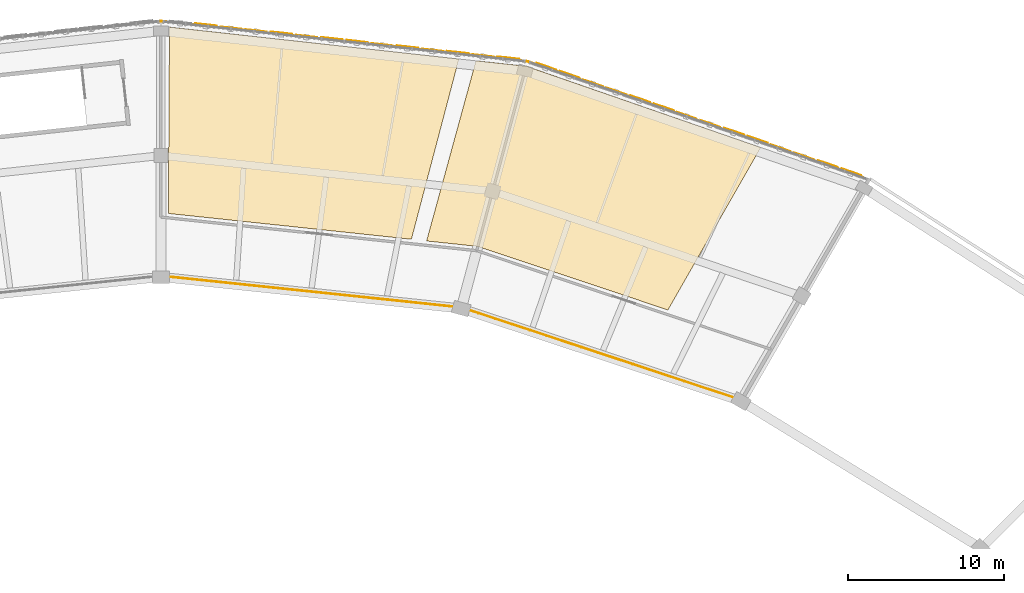
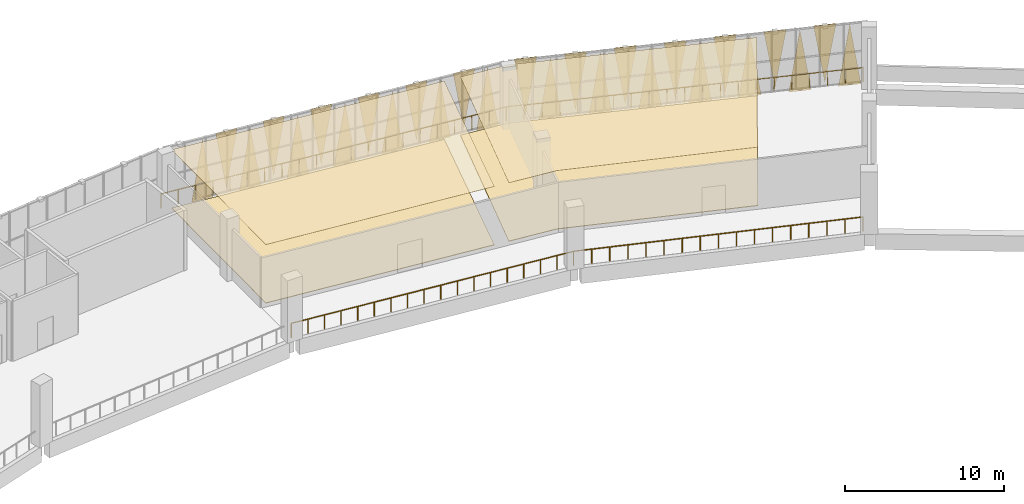
# One storey, part 63 of 64: 31 coverings, 4 railings.
"""IFC4 building model written with IfcOpenShell, lengths in metres."""

from ifc_helpers import new_model, si_unit, direction, frame, origin, origin_2d, place, context, subcontext, project, spatial, polyline, circle, outline, extrude, material, layer, layer_set, type_object, element, save


model = new_model("IFC4")

# Units and contexts
model_context = context("Model", 3, precision=1e-05, world=origin(), true_north=direction((0.0, 1.0)))
body_context = subcontext(model_context, "Body", "Model", "MODEL_VIEW")
ifc_project = project(units=[si_unit("LENGTHUNIT", "METRE"), si_unit("AREAUNIT", "SQUARE_METRE"), si_unit("VOLUMEUNIT", "CUBIC_METRE"), si_unit("PLANEANGLEUNIT", "RADIAN"), si_unit("MASSUNIT", "GRAM", prefix="KILO")], contexts=[model_context])

# Site, building, storey
site_placement = place(None, origin())
site = spatial("IfcSite", under=ifc_project, at=site_placement, CompositionType="ELEMENT")
building_placement = place(site_placement, origin())
building = spatial("IfcBuilding", under=site, at=building_placement, Name="Zevraka Park Crest Stadium", CompositionType="ELEMENT")
storey_placement = place(building_placement, frame((0.0, 0.0, 24.60009765625)))
storey = spatial("IfcBuildingStorey", under=building, at=storey_placement, Name="L05", CompositionType="ELEMENT", Elevation=24.60009765625)

# Coverings
ifc_material_1 = material(Name="Architectural golden-bronze perforated aluminium", Category="aluminium")
ifc_layer_1 = layer(ifc_material_1, 0.034912109375)
ifc_layer_set_1 = layer_set([ifc_layer_1], Name="Architectural golden-bronze perforated aluminium")
covering_type_1 = type_object("IfcCoveringType", Name="CLD01", PredefinedType="CLADDING", material=ifc_layer_set_1)
covering_1_placement = place(storey_placement, frame((156.9990234375, 157.990966796875, -0.22021484375), z_axis=(-0.326876778468, -0.945066958674, 0.00012377763), x_axis=(-0.945066965914, 0.326876780972, 0.0)))
element("IfcCovering", 1, at=covering_1_placement, inside=storey, type_object=covering_type_1, Name="Triangular Golden-Bronze Perforated Cladding L05-04-1", PredefinedType="CLADDING", context=body_context, shape_type="SweptSolid", body=[
    extrude(outline(polyline([(0.0, 0.0), (1.4347734924150557, 6.776263578034403e-21), (0.7175862559615392, -4.660156285698899), (0.0, 0.0)])), origin(), (0.0, 0.0, -1.0), 0.034912109375),
])
covering_2_placement = place(storey_placement, frame((154.136962890625, 158.98095703125, 4.599853515625), z_axis=(-0.326478757081, -0.945204539279, 1.0053247e-05), x_axis=(0.945204539327, -0.326478757097, 0.0)))
element("IfcCovering", 2, at=covering_2_placement, inside=storey, type_object=covering_type_1, Name="Triangular Golden-Bronze Perforated Cladding L05-04-2", PredefinedType="CLADDING", context=body_context, shape_type="SweptSolid", body=[
    extrude(outline(polyline([(0.0, 0.0), (1.4335314869677471, 0.0), (0.716264364466002, -4.379882812721332), (0.0, 0.0)])), origin(), (0.0, 0.0, -1.0), 0.034912109375),
])
covering_3_placement = place(storey_placement, frame((153.985107421875, 159.033935546875, -0.22021484375), z_axis=(0.3270345498, 0.945012382061, 3.1429809e-05), x_axis=(-0.945012382528, 0.327034549962, 0.0)))
element("IfcCovering", 3, at=covering_3_placement, inside=storey, type_object=covering_type_1, Name="Triangular Golden-Bronze Perforated Cladding L05-04-3", PredefinedType="CLADDING", context=body_context, shape_type="SweptSolid", body=[
    extrude(outline(polyline([(0.0, 0.0), (1.4340813246800908, -1.6940658945086007e-21), (0.7163441089266511, 4.660156252301728), (0.0, 0.0)])), origin(), (0.0, 0.0, -1.0), 0.034912109375),
])
covering_4_placement = place(storey_placement, frame((151.123046875, 160.02392578125, 4.599853515625), z_axis=(0.327087166822, 0.944994157138, 0.000168152716), x_axis=(0.944994170498, -0.327087171446, 0.0)))
element("IfcCovering", 4, at=covering_4_placement, inside=storey, type_object=covering_type_1, Name="Triangular Golden-Bronze Perforated Cladding L05-04-4", PredefinedType="CLADDING", context=body_context, shape_type="SweptSolid", body=[
    extrude(outline(polyline([(0.0, 0.0), (1.433850610989357, 0.0), (0.7171870902633259, 4.37988287442133), (0.0, 0.0)])), origin(), (0.0, 0.0, -1.0), 0.034912109375),
])
covering_5_placement = place(storey_placement, frame((150.971923828125, 160.075927734375, -0.22021484375), z_axis=(-0.326876778468, -0.945066958674, 0.00012377763), x_axis=(-0.945066965914, 0.326876780972, 0.0)))
element("IfcCovering", 5, at=covering_5_placement, inside=storey, type_object=covering_type_1, Name="Triangular Golden-Bronze Perforated Cladding L05-04-5", PredefinedType="CLADDING", context=body_context, shape_type="SweptSolid", body=[
    extrude(outline(polyline([(0.0, 0.0), (1.4347734924150557, 6.776263578034403e-21), (0.7175862559615392, -4.660156285698899), (0.0, 0.0)])), origin(), (0.0, 0.0, -1.0), 0.034912109375),
])
covering_6_placement = place(storey_placement, frame((148.10888671875, 161.06689453125, 4.599853515625), z_axis=(-0.32682422231, -0.945085140516, 6.9911683e-05), x_axis=(0.945085142826, -0.326824223109, 0.0)))
element("IfcCovering", 6, at=covering_6_placement, inside=storey, type_object=covering_type_1, Name="Triangular Golden-Bronze Perforated Cladding L05-04-6", PredefinedType="CLADDING", context=body_context, shape_type="SweptSolid", body=[
    extrude(outline(polyline([(0.0, 0.0), (1.4350042238738205, 0.0), (0.7177371653807764, -4.379882823203652), (0.0, 0.0)])), origin(), (0.0, 0.0, -1.0), 0.034912109375),
])
covering_7_placement = place(storey_placement, frame((147.9580078125, 161.118896484375, -0.22021484375), z_axis=(0.326876780071, 0.945066963307, 7.4266578e-05), x_axis=(-0.945066965914, 0.326876780972, 0.0)))
element("IfcCovering", 7, at=covering_7_placement, inside=storey, type_object=covering_type_1, Name="Triangular Golden-Bronze Perforated Cladding L05-04-7", PredefinedType="CLADDING", context=body_context, shape_type="SweptSolid", body=[
    extrude(outline(polyline([(0.0, 0.0), (1.4347734924150557, 6.776263578034403e-21), (0.717267040355121, 4.660156262851604), (0.0, 0.0)])), origin(), (0.0, 0.0, -1.0), 0.034912109375),
])
covering_8_placement = place(storey_placement, frame((145.094970703125, 162.10888671875, 4.599853515625), z_axis=(0.326876778138, 0.945066957718, 0.000131698294), x_axis=(0.945066965914, -0.326876780972, 0.0)))
element("IfcCovering", 8, at=covering_8_placement, inside=storey, type_object=covering_type_1, Name="Triangular Golden-Bronze Perforated Cladding L05-04-8", PredefinedType="CLADDING", context=body_context, shape_type="SweptSolid", body=[
    extrude(outline(polyline([(0.0, 0.0), (1.4347734924150557, 6.776263578034403e-21), (0.7171872364535165, 4.379882850483309), (0.0, 0.0)])), origin(), (0.0, 0.0, -1.0), 0.034912109375),
])
covering_9_placement = place(storey_placement, frame((144.944091796875, 162.160888671875, -0.22021484375), z_axis=(-0.326824220246, -0.945085134549, 0.000132340997), x_axis=(-0.945085142826, 0.326824223109, 0.0)))
element("IfcCovering", 9, at=covering_9_placement, inside=storey, type_object=covering_type_1, Name="Triangular Golden-Bronze Perforated Cladding L05-04-9", PredefinedType="CLADDING", context=body_context, shape_type="SweptSolid", body=[
    extrude(outline(polyline([(0.0, 0.0), (1.4350042238738205, -6.776263578034403e-21), (0.7175862227734235, -4.660156290809314), (0.0, 0.0)])), origin(), (0.0, 0.0, -1.0), 0.034912109375),
])
covering_10_placement = place(storey_placement, frame((142.0810546875, 163.152099609375, 4.599853515625), z_axis=(-0.326876778138, -0.945066957718, 0.000131698294), x_axis=(0.945066965914, -0.326876780972, 0.0)))
element("IfcCovering", 10, at=covering_10_placement, inside=storey, type_object=covering_type_1, Name="Triangular Golden-Bronze Perforated Cladding L05-04-10", PredefinedType="CLADDING", context=body_context, shape_type="SweptSolid", body=[
    extrude(outline(polyline([(0.0, 0.0), (1.4347734924150557, 6.776263578034403e-21), (0.7175862559615392, -4.379882850483309), (0.0, 0.0)])), origin(), (0.0, 0.0, -1.0), 0.034912109375),
])
covering_11_placement = place(storey_placement, frame((141.929931640625, 163.2041015625, -0.22021484375), z_axis=(0.327087167362, 0.944994158697, 0.000158039592), x_axis=(-0.944994170498, 0.327087171446, 0.0)))
element("IfcCovering", 11, at=covering_11_placement, inside=storey, type_object=covering_type_1, Name="Triangular Golden-Bronze Perforated Cladding L05-04-11", PredefinedType="CLADDING", context=body_context, shape_type="SweptSolid", body=[
    extrude(outline(polyline([(0.0, 0.0), (1.433850610989357, 0.0), (0.7171870902633259, 4.660156308197227), (0.0, 0.0)])), origin(), (0.0, 0.0, -1.0), 0.034912109375),
])
covering_12_placement = place(storey_placement, frame((139.068115234375, 164.194091796875, 4.599853515625), z_axis=(0.32708717115, 0.944994169643, 4.2548323e-05), x_axis=(0.944994170498, -0.327087171446, 0.0)))
element("IfcCovering", 12, at=covering_12_placement, inside=storey, type_object=covering_type_1, Name="Triangular Golden-Bronze Perforated Cladding L05-04-12", PredefinedType="CLADDING", context=body_context, shape_type="SweptSolid", body=[
    extrude(outline(polyline([(0.0, 0.0), (1.433850610989357, 3.3881317890172014e-21), (0.7163440996601654, 4.379882816464582), (0.0, 0.0)])), origin(), (0.0, 0.0, -1.0), 0.034912109375),
])
covering_13_placement = place(storey_placement, frame((138.916015625, 164.2470703125, -0.22021484375), z_axis=(-0.326478757083, -0.945204539285, 9.448619e-06), x_axis=(-0.945204539327, 0.326478757097, 0.0)))
element("IfcCovering", 13, at=covering_13_placement, inside=storey, type_object=covering_type_1, Name="Triangular Golden-Bronze Perforated Cladding L05-04-13", PredefinedType="CLADDING", context=body_context, shape_type="SweptSolid", body=[
    extrude(outline(polyline([(0.0, 0.0), (1.4335314869677471, 0.0), (0.716264364466002, -4.660156250208021), (0.0, 0.0)])), origin(), (0.0, 0.0, -1.0), 0.034912109375),
])
covering_14_placement = place(storey_placement, frame((136.053955078125, 165.237060546875, 4.599853515625), z_axis=(-0.326876778138, -0.945066957718, 0.000131698294), x_axis=(0.945066965914, -0.326876780972, 0.0)))
element("IfcCovering", 14, at=covering_14_placement, inside=storey, type_object=covering_type_1, Name="Triangular Golden-Bronze Perforated Cladding L05-04-14", PredefinedType="CLADDING", context=body_context, shape_type="SweptSolid", body=[
    extrude(outline(polyline([(0.0, 0.0), (1.4347734924150557, 6.776263578034403e-21), (0.7175862559615392, -4.379882850483309), (0.0, 0.0)])), origin(), (0.0, 0.0, -1.0), 0.034912109375),
])
covering_15_placement = place(storey_placement, frame((135.02587890625, 165.468017578125, -0.22021484375), z_axis=(-0.108952601983, -0.994046945726, 1.4622709e-05), x_axis=(-0.994046945832, 0.108952601995, 0.0)))
element("IfcCovering", 15, at=covering_15_placement, inside=storey, type_object=covering_type_1, Name="Triangular Golden-Bronze Perforated Cladding L05-05-1", PredefinedType="CLADDING", context=body_context, shape_type="SweptSolid", body=[
    extrude(outline(polyline([(0.0, 0.0), (1.4677218023927092, 4.235164736271502e-22), (0.7343595755597975, -4.660156250498226), (0.0, 0.0)])), origin(), (0.0, 0.0, -1.0), 0.034912109375),
])
covering_16_placement = place(storey_placement, frame((131.947998046875, 165.805908203125, 4.599853515625), z_axis=(0.108880588211, 0.994054835883, 2.7704984e-05), x_axis=(0.994054836265, -0.108880588253, 0.0)))
element("IfcCovering", 16, at=covering_16_placement, inside=storey, type_object=covering_type_1, Name="Triangular Golden-Bronze Perforated Cladding L05-05-2", PredefinedType="CLADDING", context=body_context, shape_type="SweptSolid", body=[
    extrude(outline(polyline([(0.0, 0.0), (1.4686925552172725, 0.0), (0.7343329865212029, 4.379882814180925), (0.0, 0.0)])), origin(), (0.0, 0.0, -1.0), 0.034912109375),
])
covering_17_placement = place(storey_placement, frame((131.7890625, 165.823974609375, -0.22021484375), z_axis=(-0.108952601918, -0.994046945135, 3.7454352e-05), x_axis=(-0.994046945832, 0.108952601995, 0.0)))
element("IfcCovering", 17, at=covering_17_placement, inside=storey, type_object=covering_type_1, Name="Triangular Golden-Bronze Perforated Cladding L05-05-3", PredefinedType="CLADDING", context=body_context, shape_type="SweptSolid", body=[
    extrude(outline(polyline([(0.0, 0.0), (1.4677218023927092, 0.0), (0.7333888265892581, -4.660156253268701), (0.0, 0.0)])), origin(), (0.0, 0.0, -1.0), 0.034912109375),
])
covering_18_placement = place(storey_placement, frame((128.7109375, 166.162109375, 4.599853515625), z_axis=(0.109044843045, 0.994036831413, 0.0), x_axis=(0.994036831413, -0.109044843045, 0.0)))
element("IfcCovering", 18, at=covering_18_placement, inside=storey, type_object=covering_type_1, Name="Triangular Golden-Bronze Perforated Cladding L05-05-4", PredefinedType="CLADDING", context=body_context, shape_type="SweptSolid", body=[
    extrude(outline(polyline([(0.0, 0.0), (1.4687191574429541, 0.0), (0.7343595787214771, 4.3798828125), (0.0, 0.0)])), origin(), (0.0, 0.0, -1.0), 0.034912109375),
])
covering_19_placement = place(storey_placement, frame((128.552001953125, 166.179931640625, -0.22021484375), z_axis=(-0.109116962802, -0.994028917234, 1.1433043e-05), x_axis=(-0.994028917299, 0.109116962809, 0.0)))
element("IfcCovering", 19, at=covering_19_placement, inside=storey, type_object=covering_type_1, Name="Triangular Golden-Bronze Perforated Cladding L05-05-5", PredefinedType="CLADDING", context=body_context, shape_type="SweptSolid", body=[
    extrude(outline(polyline([(0.0, 0.0), (1.4677484222128137, 2.117582368135751e-22), (0.7333888454241317, -4.660156250304575), (0.0, 0.0)])), origin(), (0.0, 0.0, -1.0), 0.034912109375),
])
covering_20_placement = place(storey_placement, frame((125.47412109375, 166.51806640625, 4.599853515625), z_axis=(0.109044843045, 0.994036831413, 0.0), x_axis=(0.994036831413, -0.109044843045, 0.0)))
element("IfcCovering", 20, at=covering_20_placement, inside=storey, type_object=covering_type_1, Name="Triangular Golden-Bronze Perforated Cladding L05-05-6", PredefinedType="CLADDING", context=body_context, shape_type="SweptSolid", body=[
    extrude(outline(polyline([(0.0, 0.0), (1.4687191574429541, 0.0), (0.7343595787214771, 4.3798828125), (0.0, 0.0)])), origin(), (0.0, 0.0, -1.0), 0.034912109375),
])
covering_21_placement = place(storey_placement, frame((125.31494140625, 166.535888671875, -0.22021484375), z_axis=(-0.109116962802, -0.994028917234, 1.1433043e-05), x_axis=(-0.994028917299, 0.109116962809, 0.0)))
element("IfcCovering", 21, at=covering_21_placement, inside=storey, type_object=covering_type_1, Name="Triangular Golden-Bronze Perforated Cladding L05-05-7", PredefinedType="CLADDING", context=body_context, shape_type="SweptSolid", body=[
    extrude(outline(polyline([(0.0, 0.0), (1.4677484222128137, 2.117582368135751e-22), (0.7333888454241317, -4.660156250304575), (0.0, 0.0)])), origin(), (0.0, 0.0, -1.0), 0.034912109375),
])
covering_22_placement = place(storey_placement, frame((122.238037109375, 166.8740234375, 4.599853515625), z_axis=(-0.108952601908, -0.994046945043, 3.9851097e-05), x_axis=(0.994046945832, -0.108952601995, 0.0)))
element("IfcCovering", 22, at=covering_22_placement, inside=storey, type_object=covering_type_1, Name="Triangular Golden-Bronze Perforated Cladding L05-05-8", PredefinedType="CLADDING", context=body_context, shape_type="SweptSolid", body=[
    extrude(outline(polyline([(0.0, 0.0), (1.4677218023927092, -8.470329472543003e-22), (0.7333888265892581, -4.379882815977869), (0.0, 0.0)])), origin(), (0.0, 0.0, -1.0), 0.034912109375),
])
covering_23_placement = place(storey_placement, frame((122.0791015625, 166.89208984375, -0.22021484375), z_axis=(0.108862599571, 0.994056806162, 2.3187191e-05), x_axis=(-0.994056806429, 0.108862599601, 0.0)))
element("IfcCovering", 23, at=covering_23_placement, inside=storey, type_object=covering_type_1, Name="Triangular Golden-Bronze Perforated Cladding L05-05-9", PredefinedType="CLADDING", context=body_context, shape_type="SweptSolid", body=[
    extrude(outline(polyline([(0.0, 0.0), (1.4689352446268007, 0.0), (0.7343329885968441, 4.660156251252758), (0.0, 0.0)])), origin(), (0.0, 0.0, -1.0), 0.034912109375),
])
covering_24_placement = place(storey_placement, frame((119.0009765625, 167.22998046875, 4.599853515625), z_axis=(-0.108952601908, -0.994046945043, 3.9851097e-05), x_axis=(0.994046945832, -0.108952601995, 0.0)))
element("IfcCovering", 24, at=covering_24_placement, inside=storey, type_object=covering_type_1, Name="Triangular Golden-Bronze Perforated Cladding L05-05-10", PredefinedType="CLADDING", context=body_context, shape_type="SweptSolid", body=[
    extrude(outline(polyline([(0.0, 0.0), (1.4677218023927092, -8.470329472543003e-22), (0.7333888265892581, -4.379882815977869), (0.0, 0.0)])), origin(), (0.0, 0.0, -1.0), 0.034912109375),
])
covering_25_placement = place(storey_placement, frame((118.842041015625, 167.248046875, -0.22021484375), z_axis=(0.108880588216, 0.994054835928, 2.6038737e-05), x_axis=(-0.994054836265, 0.108880588253, 0.0)))
element("IfcCovering", 25, at=covering_25_placement, inside=storey, type_object=covering_type_1, Name="Triangular Golden-Bronze Perforated Cladding L05-05-11", PredefinedType="CLADDING", context=body_context, shape_type="SweptSolid", body=[
    extrude(outline(polyline([(0.0, 0.0), (1.4686925552172725, 0.0), (0.7343329865212029, 4.66015625157983), (0.0, 0.0)])), origin(), (0.0, 0.0, -1.0), 0.034912109375),
])
covering_26_placement = place(storey_placement, frame((115.763916015625, 167.5859375, 4.599853515625), z_axis=(0.108952601981, 0.994046945712, 1.5558432e-05), x_axis=(0.994046945832, -0.108952601995, 0.0)))
element("IfcCovering", 26, at=covering_26_placement, inside=storey, type_object=covering_type_1, Name="Triangular Golden-Bronze Perforated Cladding L05-05-12", PredefinedType="CLADDING", context=body_context, shape_type="SweptSolid", body=[
    extrude(outline(polyline([(0.0, 0.0), (1.4677218023927092, -4.235164736271502e-22), (0.7333622268329117, 4.379882813030108), (0.0, 0.0)])), origin(), (0.0, 0.0, -1.0), 0.034912109375),
])
covering_27_placement = place(storey_placement, frame((115.60498046875, 167.60400390625, -0.22021484375), z_axis=(-0.108880588216, -0.994054835928, 2.6038737e-05), x_axis=(-0.994054836265, 0.108880588253, 0.0)))
element("IfcCovering", 27, at=covering_27_placement, inside=storey, type_object=covering_type_1, Name="Triangular Golden-Bronze Perforated Cladding L05-05-13", PredefinedType="CLADDING", context=body_context, shape_type="SweptSolid", body=[
    extrude(outline(polyline([(0.0, 0.0), (1.4686925552172725, 0.0), (0.7343595686960694, -4.66015625157983), (0.0, 0.0)])), origin(), (0.0, 0.0, -1.0), 0.034912109375),
])
ifc_material_2 = material(Name="Perforated acoustic mineral-fibre suspended ceiling", Category="other")
ifc_layer_2 = layer(ifc_material_2, 0.02490234375)
ifc_layer_set_2 = layer_set([ifc_layer_2], Name="Perforated acoustic mineral-fibre suspended ceiling")
covering_type_2 = type_object("IfcCoveringType", Name="CLG01", PredefinedType="CEILING", material=ifc_layer_set_2)
covering_28_placement = place(storey_placement, frame((0.0, 0.0, 4.47998046875)))
element("IfcCovering", 28, at=covering_28_placement, inside=storey, type_object=covering_type_2, Name="Acoustic Ceiling Match Commentary Box L05-024", PredefinedType="CEILING", context=body_context, shape_type="SweptSolid", body=[
    extrude(outline(polyline([(129.06201171875, 153.81494140625), (132.23095703125, 165.387939453125), (135.472900390625, 165.035888671875), (150.513916015625, 159.81689453125), (144.556884765625, 149.383056640625), (132.363037109375, 153.458984375), (132.343017578125, 153.464111328125), (132.321044921875, 153.468017578125), (129.06201171875, 153.81494140625)])), origin(), (0.0, 0.0, 1.0), 0.02490234375),
])
covering_29_placement = place(storey_placement, frame((0.0, 0.0, 4.47998046875)))
element("IfcCovering", 29, at=covering_29_placement, inside=storey, type_object=covering_type_2, Name="Acoustic Ceiling Venue Operations and Fire Command Centre L05-025", PredefinedType="CEILING", context=body_context, shape_type="SweptSolid", body=[
    extrude(outline(polyline([(112.47802734375, 155.5810546875), (112.551025390625, 167.550048828125), (131.132080078125, 165.4970703125), (128.083984375, 153.926025390625), (112.47802734375, 155.5810546875)])), origin(), (0.0, 0.0, 1.0), 0.02490234375),
])
ifc_material_3 = material(Name="Honed terrazzo and slip-resistant sports flooring", Category="other")
ifc_layer_3 = layer(ifc_material_3, 0.0400390625)
ifc_layer_set_3 = layer_set([ifc_layer_3], Name="Honed terrazzo and slip-resistant sports flooring")
covering_type_3 = type_object("IfcCoveringType", Name="FLR01", PredefinedType="FLOORING", material=ifc_layer_set_3)
covering_30_placement = place(storey_placement, origin())
element("IfcCovering", 30, at=covering_30_placement, inside=storey, type_object=covering_type_3, Name="Terrazzo Floor Finish Match Commentary Box L05-024", PredefinedType="FLOORING", context=body_context, shape_type="SweptSolid", body=[
    extrude(outline(polyline([(129.06201171875, 153.81494140625), (132.23095703125, 165.387939453125), (135.472900390625, 165.035888671875), (150.513916015625, 159.81689453125), (144.556884765625, 149.383056640625), (132.363037109375, 153.458984375), (132.343017578125, 153.464111328125), (132.321044921875, 153.468017578125), (129.06201171875, 153.81494140625)])), origin(), (0.0, 0.0, 1.0), 0.039794921875),
])
covering_31_placement = place(storey_placement, origin())
element("IfcCovering", 31, at=covering_31_placement, inside=storey, type_object=covering_type_3, Name="Terrazzo Floor Finish Venue Operations and Fire Command Centre L05-025", PredefinedType="FLOORING", context=body_context, shape_type="SweptSolid", body=[
    extrude(outline(polyline([(112.47802734375, 155.5810546875), (112.551025390625, 167.550048828125), (131.132080078125, 165.4970703125), (128.083984375, 153.926025390625), (112.47802734375, 155.5810546875)])), origin(), (0.0, 0.0, 1.0), 0.039794921875),
])

# Railings
ifc_material_4 = material(Name="Galvanised and bronze-finished steel balustrade", Category="steel")
railing_type = type_object("IfcRailingType", Name="GR01", PredefinedType="GUARDRAIL", material=ifc_material_4)
railing_1_placement = place(storey_placement, frame((112.0, 167.929931640625, 0.0)))
element("IfcRailing", 32, at=railing_1_placement, inside=storey, type_object=railing_type, Name="Deck Edge Protection Guardrail GR01 L05-19", PredefinedType="GUARDRAIL", context=body_context, shape_type="SweptSolid", body=[
    extrude(circle(Radius=0.02392578125, at=origin_2d()), frame((0.0, 0.0, 1.076171875), z_axis=(0.994005834956, -0.109327032671, 0.0), x_axis=(0.109327032671, 0.994005834956, 0.0)), (0.0, 0.0, 1.0), 23.679931640625),
    extrude(circle(Radius=0.02099609375, at=origin_2d()), origin(), (0.0, 0.0, 1.0), 1.052001953125),
    extrude(circle(Radius=0.02099609375, at=origin_2d()), frame((1.177001953125, -0.12939453125, 0.0)), (0.0, 0.0, 1.0), 1.052001953125),
    extrude(circle(Radius=0.02099609375, at=origin_2d()), frame((2.353759765625, -0.2587890625, 0.0)), (0.0, 0.0, 1.0), 1.052001953125),
    extrude(circle(Radius=0.02099609375, at=origin_2d()), frame((3.53076171875, -0.388427734375, 0.0)), (0.0, 0.0, 1.0), 1.052001953125),
    extrude(circle(Radius=0.02099609375, at=origin_2d()), frame((4.70751953125, -0.517822265625, 0.0)), (0.0, 0.0, 1.0), 1.052001953125),
    extrude(circle(Radius=0.02099609375, at=origin_2d()), frame((5.884521484375, -0.647216796875, 0.0)), (0.0, 0.0, 1.0), 1.052001953125),
    extrude(circle(Radius=0.02099609375, at=origin_2d()), frame((7.0615234375, -0.776611328125, 0.0)), (0.0, 0.0, 1.0), 1.052001953125),
    extrude(circle(Radius=0.02099609375, at=origin_2d()), frame((8.23828125, -0.906005859375, 0.0)), (0.0, 0.0, 1.0), 1.052001953125),
    extrude(circle(Radius=0.02099609375, at=origin_2d()), frame((9.415283203125, -1.03564453125, 0.0)), (0.0, 0.0, 1.0), 1.052001953125),
    extrude(circle(Radius=0.02099609375, at=origin_2d()), frame((10.592041015625, -1.1650390625, 0.0)), (0.0, 0.0, 1.0), 1.052001953125),
    extrude(circle(Radius=0.02099609375, at=origin_2d()), frame((11.76904296875, -1.29443359375, 0.0)), (0.0, 0.0, 1.0), 1.052001953125),
    extrude(circle(Radius=0.02099609375, at=origin_2d()), frame((12.946044921875, -1.423828125, 0.0)), (0.0, 0.0, 1.0), 1.052001953125),
    extrude(circle(Radius=0.02099609375, at=origin_2d()), frame((14.122802734375, -1.55322265625, 0.0)), (0.0, 0.0, 1.0), 1.052001953125),
    extrude(circle(Radius=0.02099609375, at=origin_2d()), frame((15.2998046875, -1.682861328125, 0.0)), (0.0, 0.0, 1.0), 1.052001953125),
    extrude(circle(Radius=0.02099609375, at=origin_2d()), frame((16.4765625, -1.812255859375, 0.0)), (0.0, 0.0, 1.0), 1.052001953125),
    extrude(circle(Radius=0.02099609375, at=origin_2d()), frame((17.653564453125, -1.941650390625, 0.0)), (0.0, 0.0, 1.0), 1.052001953125),
    extrude(circle(Radius=0.02099609375, at=origin_2d()), frame((18.83056640625, -2.071044921875, 0.0)), (0.0, 0.0, 1.0), 1.052001953125),
    extrude(circle(Radius=0.02099609375, at=origin_2d()), frame((20.00732421875, -2.200439453125, 0.0)), (0.0, 0.0, 1.0), 1.052001953125),
    extrude(circle(Radius=0.02099609375, at=origin_2d()), frame((21.184326171875, -2.330078125, 0.0)), (0.0, 0.0, 1.0), 1.052001953125),
    extrude(circle(Radius=0.02099609375, at=origin_2d()), frame((22.361083984375, -2.45947265625, 0.0)), (0.0, 0.0, 1.0), 1.052001953125),
    extrude(circle(Radius=0.02099609375, at=origin_2d()), frame((23.5380859375, -2.5888671875, 0.0)), (0.0, 0.0, 1.0), 1.052001953125),
])
railing_2_placement = place(storey_placement, frame((135.5380859375, 165.341064453125, 0.0)))
element("IfcRailing", 33, at=railing_2_placement, inside=storey, type_object=railing_type, Name="Deck Edge Protection Guardrail GR01 L05-20", PredefinedType="GUARDRAIL", context=body_context, shape_type="SweptSolid", body=[
    extrude(circle(Radius=0.02392578125, at=origin_2d()), frame((0.0, 0.0, 1.076171875), z_axis=(0.945052369108, -0.326918980244, 0.0), x_axis=(0.326918980244, 0.945052369108, 0.0)), (0.0, 0.0, 1.0), 22.803955078125),
    extrude(circle(Radius=0.02099609375, at=origin_2d()), origin(), (0.0, 0.0, 1.0), 1.052001953125),
    extrude(circle(Radius=0.02099609375, at=origin_2d()), frame((1.07763671875, -0.372802734375, 0.0)), (0.0, 0.0, 1.0), 1.052001953125),
    extrude(circle(Radius=0.02099609375, at=origin_2d()), frame((2.155029296875, -0.74560546875, 0.0)), (0.0, 0.0, 1.0), 1.052001953125),
    extrude(circle(Radius=0.02099609375, at=origin_2d()), frame((3.232666015625, -1.1181640625, 0.0)), (0.0, 0.0, 1.0), 1.052001953125),
    extrude(circle(Radius=0.02099609375, at=origin_2d()), frame((4.310302734375, -1.490966796875, 0.0)), (0.0, 0.0, 1.0), 1.052001953125),
    extrude(circle(Radius=0.02099609375, at=origin_2d()), frame((5.3876953125, -1.86376953125, 0.0)), (0.0, 0.0, 1.0), 1.052001953125),
    extrude(circle(Radius=0.02099609375, at=origin_2d()), frame((6.46533203125, -2.236572265625, 0.0)), (0.0, 0.0, 1.0), 1.052001953125),
    extrude(circle(Radius=0.02099609375, at=origin_2d()), frame((7.54296875, -2.609375, 0.0)), (0.0, 0.0, 1.0), 1.052001953125),
    extrude(circle(Radius=0.02099609375, at=origin_2d()), frame((8.620361328125, -2.98193359375, 0.0)), (0.0, 0.0, 1.0), 1.052001953125),
    extrude(circle(Radius=0.02099609375, at=origin_2d()), frame((9.697998046875, -3.354736328125, 0.0)), (0.0, 0.0, 1.0), 1.052001953125),
    extrude(circle(Radius=0.02099609375, at=origin_2d()), frame((10.775390625, -3.7275390625, 0.0)), (0.0, 0.0, 1.0), 1.052001953125),
    extrude(circle(Radius=0.02099609375, at=origin_2d()), frame((11.85302734375, -4.100341796875, 0.0)), (0.0, 0.0, 1.0), 1.052001953125),
    extrude(circle(Radius=0.02099609375, at=origin_2d()), frame((12.9306640625, -4.47314453125, 0.0)), (0.0, 0.0, 1.0), 1.052001953125),
    extrude(circle(Radius=0.02099609375, at=origin_2d()), frame((14.008056640625, -4.845703125, 0.0)), (0.0, 0.0, 1.0), 1.052001953125),
    extrude(circle(Radius=0.02099609375, at=origin_2d()), frame((15.085693359375, -5.218505859375, 0.0)), (0.0, 0.0, 1.0), 1.052001953125),
    extrude(circle(Radius=0.02099609375, at=origin_2d()), frame((16.163330078125, -5.59130859375, 0.0)), (0.0, 0.0, 1.0), 1.052001953125),
    extrude(circle(Radius=0.02099609375, at=origin_2d()), frame((17.24072265625, -5.964111328125, 0.0)), (0.0, 0.0, 1.0), 1.052001953125),
    extrude(circle(Radius=0.02099609375, at=origin_2d()), frame((18.318359375, -6.3369140625, 0.0)), (0.0, 0.0, 1.0), 1.052001953125),
    extrude(circle(Radius=0.02099609375, at=origin_2d()), frame((19.39599609375, -6.70947265625, 0.0)), (0.0, 0.0, 1.0), 1.052001953125),
    extrude(circle(Radius=0.02099609375, at=origin_2d()), frame((20.473388671875, -7.082275390625, 0.0)), (0.0, 0.0, 1.0), 1.052001953125),
    extrude(circle(Radius=0.02099609375, at=origin_2d()), frame((21.551025390625, -7.455078125, 0.0)), (0.0, 0.0, 1.0), 1.052001953125),
])
railing_3_placement = place(storey_placement, frame((148.907958984375, 143.716064453125, 0.0)))
element("IfcRailing", 34, at=railing_3_placement, inside=storey, type_object=railing_type, Name="Deck Edge Protection Guardrail GR01 L05-21", PredefinedType="GUARDRAIL", context=body_context, shape_type="SweptSolid", body=[
    extrude(circle(Radius=0.02392578125, at=origin_2d()), frame((0.0, 0.0, 1.076171875), z_axis=(-0.949420228178, 0.314008328436, 0.0), x_axis=(-0.314008328436, -0.949420228178, 0.0)), (0.0, 0.0, 1.0), 18.553466796875),
    extrude(circle(Radius=0.02099609375, at=origin_2d()), origin(), (0.0, 0.0, 1.0), 1.052001953125),
    extrude(circle(Radius=0.02099609375, at=origin_2d()), frame((-1.100830078125, 0.364013671875, 0.0)), (0.0, 0.0, 1.0), 1.052001953125),
    extrude(circle(Radius=0.02099609375, at=origin_2d()), frame((-2.201904296875, 0.728271484375, 0.0)), (0.0, 0.0, 1.0), 1.052001953125),
    extrude(circle(Radius=0.02099609375, at=origin_2d()), frame((-3.302734375, 1.09228515625, 0.0)), (0.0, 0.0, 1.0), 1.052001953125),
    extrude(circle(Radius=0.02099609375, at=origin_2d()), frame((-4.40380859375, 1.45654296875, 0.0)), (0.0, 0.0, 1.0), 1.052001953125),
    extrude(circle(Radius=0.02099609375, at=origin_2d()), frame((-5.504638671875, 1.820556640625, 0.0)), (0.0, 0.0, 1.0), 1.052001953125),
    extrude(circle(Radius=0.02099609375, at=origin_2d()), frame((-6.605712890625, 2.184814453125, 0.0)), (0.0, 0.0, 1.0), 1.052001953125),
    extrude(circle(Radius=0.02099609375, at=origin_2d()), frame((-7.70654296875, 2.548828125, 0.0)), (0.0, 0.0, 1.0), 1.052001953125),
    extrude(circle(Radius=0.02099609375, at=origin_2d()), frame((-8.8076171875, 2.9130859375, 0.0)), (0.0, 0.0, 1.0), 1.052001953125),
    extrude(circle(Radius=0.02099609375, at=origin_2d()), frame((-9.908447265625, 3.277099609375, 0.0)), (0.0, 0.0, 1.0), 1.052001953125),
    extrude(circle(Radius=0.02099609375, at=origin_2d()), frame((-11.00927734375, 3.64111328125, 0.0)), (0.0, 0.0, 1.0), 1.052001953125),
    extrude(circle(Radius=0.02099609375, at=origin_2d()), frame((-12.1103515625, 4.00537109375, 0.0)), (0.0, 0.0, 1.0), 1.052001953125),
    extrude(circle(Radius=0.02099609375, at=origin_2d()), frame((-13.211181640625, 4.369384765625, 0.0)), (0.0, 0.0, 1.0), 1.052001953125),
    extrude(circle(Radius=0.02099609375, at=origin_2d()), frame((-14.312255859375, 4.733642578125, 0.0)), (0.0, 0.0, 1.0), 1.052001953125),
    extrude(circle(Radius=0.02099609375, at=origin_2d()), frame((-15.4130859375, 5.09765625, 0.0)), (0.0, 0.0, 1.0), 1.052001953125),
    extrude(circle(Radius=0.02099609375, at=origin_2d()), frame((-16.51416015625, 5.4619140625, 0.0)), (0.0, 0.0, 1.0), 1.052001953125),
    extrude(circle(Radius=0.02099609375, at=origin_2d()), frame((-17.614990234375, 5.825927734375, 0.0)), (0.0, 0.0, 1.0), 1.052001953125),
])
railing_4_placement = place(storey_placement, frame((131.29296875, 149.5419921875, 0.0)))
element("IfcRailing", 35, at=railing_4_placement, inside=storey, type_object=railing_type, Name="Deck Edge Protection Guardrail GR01 L05-22", PredefinedType="GUARDRAIL", context=body_context, shape_type="SweptSolid", body=[
    extrude(circle(Radius=0.02392578125, at=origin_2d()), frame((0.0, 0.0, 1.076171875), z_axis=(-0.994518067741, 0.1045648743, 0.0), x_axis=(-0.1045648743, -0.994518067741, 0.0)), (0.0, 0.0, 1.0), 19.3955078125),
    extrude(circle(Radius=0.02099609375, at=origin_2d()), origin(), (0.0, 0.0, 1.0), 1.052001953125),
    extrude(circle(Radius=0.02099609375, at=origin_2d()), frame((-1.134765625, 0.119384765625, 0.0)), (0.0, 0.0, 1.0), 1.052001953125),
    extrude(circle(Radius=0.02099609375, at=origin_2d()), frame((-2.269287109375, 0.238525390625, 0.0)), (0.0, 0.0, 1.0), 1.052001953125),
    extrude(circle(Radius=0.02099609375, at=origin_2d()), frame((-3.404052734375, 0.35791015625, 0.0)), (0.0, 0.0, 1.0), 1.052001953125),
    extrude(circle(Radius=0.02099609375, at=origin_2d()), frame((-4.53857421875, 0.477294921875, 0.0)), (0.0, 0.0, 1.0), 1.052001953125),
    extrude(circle(Radius=0.02099609375, at=origin_2d()), frame((-5.67333984375, 0.596435546875, 0.0)), (0.0, 0.0, 1.0), 1.052001953125),
    extrude(circle(Radius=0.02099609375, at=origin_2d()), frame((-6.807861328125, 0.7158203125, 0.0)), (0.0, 0.0, 1.0), 1.052001953125),
    extrude(circle(Radius=0.02099609375, at=origin_2d()), frame((-7.942626953125, 0.835205078125, 0.0)), (0.0, 0.0, 1.0), 1.052001953125),
    extrude(circle(Radius=0.02099609375, at=origin_2d()), frame((-9.0771484375, 0.954345703125, 0.0)), (0.0, 0.0, 1.0), 1.052001953125),
    extrude(circle(Radius=0.02099609375, at=origin_2d()), frame((-10.2119140625, 1.07373046875, 0.0)), (0.0, 0.0, 1.0), 1.052001953125),
    extrude(circle(Radius=0.02099609375, at=origin_2d()), frame((-11.346435546875, 1.19287109375, 0.0)), (0.0, 0.0, 1.0), 1.052001953125),
    extrude(circle(Radius=0.02099609375, at=origin_2d()), frame((-12.481201171875, 1.312255859375, 0.0)), (0.0, 0.0, 1.0), 1.052001953125),
    extrude(circle(Radius=0.02099609375, at=origin_2d()), frame((-13.61572265625, 1.431640625, 0.0)), (0.0, 0.0, 1.0), 1.052001953125),
    extrude(circle(Radius=0.02099609375, at=origin_2d()), frame((-14.75048828125, 1.55078125, 0.0)), (0.0, 0.0, 1.0), 1.052001953125),
    extrude(circle(Radius=0.02099609375, at=origin_2d()), frame((-15.885009765625, 1.670166015625, 0.0)), (0.0, 0.0, 1.0), 1.052001953125),
    extrude(circle(Radius=0.02099609375, at=origin_2d()), frame((-17.019775390625, 1.78955078125, 0.0)), (0.0, 0.0, 1.0), 1.052001953125),
    extrude(circle(Radius=0.02099609375, at=origin_2d()), frame((-18.154296875, 1.90869140625, 0.0)), (0.0, 0.0, 1.0), 1.052001953125),
    extrude(circle(Radius=0.02099609375, at=origin_2d()), frame((-19.2890625, 2.028076171875, 0.0)), (0.0, 0.0, 1.0), 1.052001953125),
])

save(model, "model.ifc")
